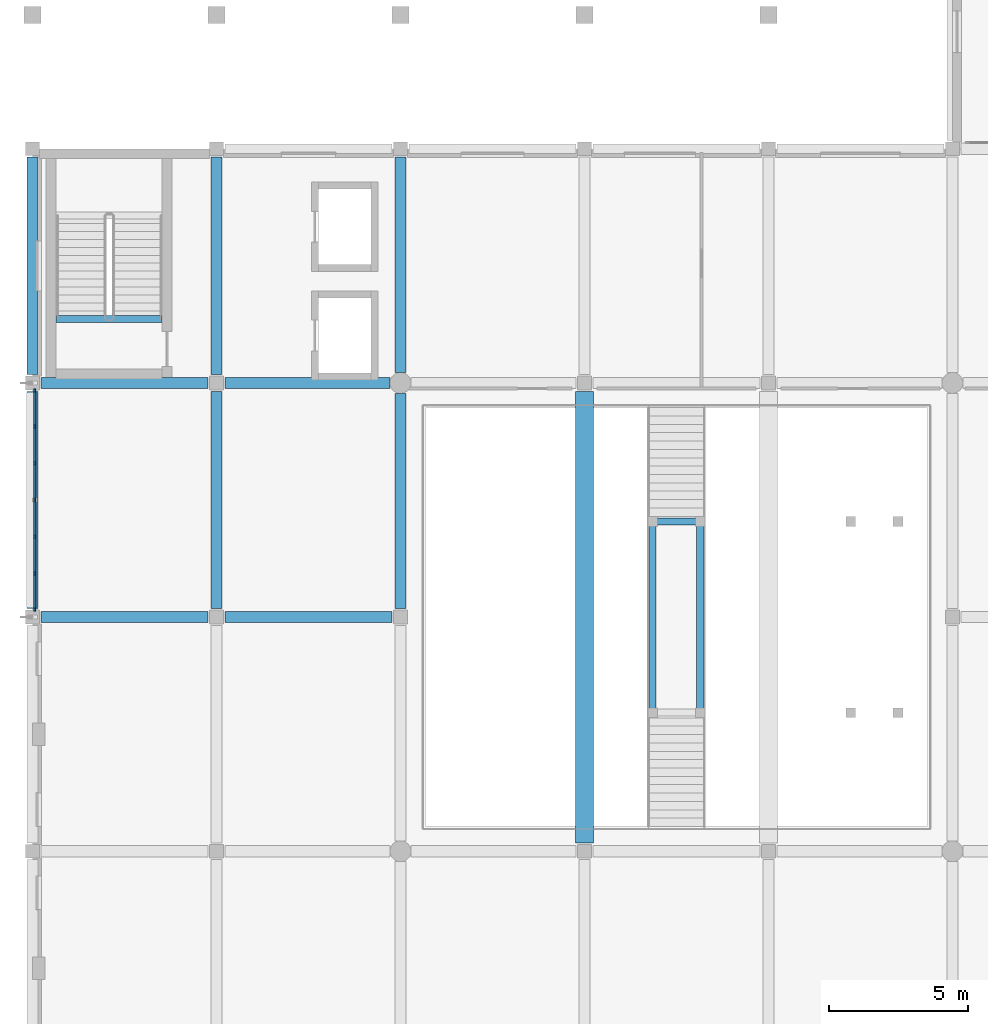
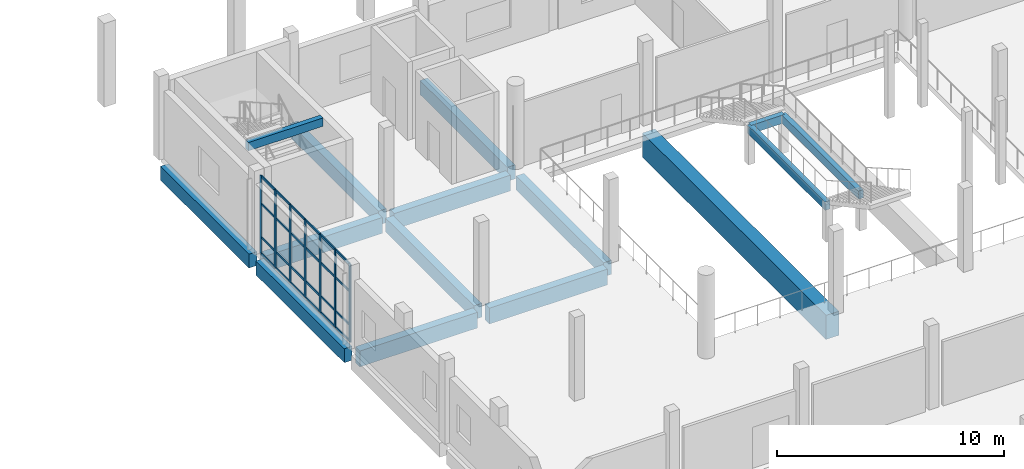
# One storey, part 5 of 83: 31 members, 15 beams, 1 element without a shape of its own.
"""IFC4 building model written with IfcOpenShell, lengths in metres."""

from ifc_helpers import new_model, si_unit, direction, frame, origin, origin_2d, place, context, subcontext, project, spatial, rectangle, extrude, material, material_profile, profile_set, type_object, element, aggregate, save


model = new_model("IFC4")

# Units and contexts
model_context = context("Model", 3, precision=1e-05, world=origin(), true_north=direction((0.0, 1.0)))
body_context = subcontext(model_context, "Body", "Model", "MODEL_VIEW")
ifc_project = project(units=[si_unit("LENGTHUNIT", "METRE"), si_unit("AREAUNIT", "SQUARE_METRE"), si_unit("VOLUMEUNIT", "CUBIC_METRE"), si_unit("PLANEANGLEUNIT", "RADIAN"), si_unit("MASSUNIT", "GRAM", prefix="KILO")], contexts=[model_context])

# Site, building, storey
site_placement = place(None, origin())
site = spatial("IfcSite", under=ifc_project, at=site_placement, CompositionType="ELEMENT")
building_placement = place(site_placement, origin())
building = spatial("IfcBuilding", under=site, at=building_placement, Name="Qaldarim Faculty of Natural and Applied Sciences", CompositionType="ELEMENT")
storey_placement = place(building_placement, frame((0.0, 0.0, 5.39990234375)))
storey = spatial("IfcBuildingStorey", under=building, at=storey_placement, Name="L01", CompositionType="ELEMENT", Elevation=5.39990234375)

# Beams
ifc_material_1 = material(Name="Concrete C50/60", Category="concrete")
ifc_material_profile_1 = material_profile(ifc_material_1, rectangle(XDim=0.39990234375, YDim=0.75, at=origin_2d()), Name="RC-B400x750")
ifc_profile_set_1 = profile_set([ifc_material_profile_1], Name="Concrete C50/60")
beam_type_1 = type_object("IfcBeamType", Name="LabGirder-RC400x750", PredefinedType="BEAM", material=ifc_profile_set_1)
for number, where, z_axis, x_axis, name in (
    (1, (0.0, 67.5, -0.6748046875), (0.0, 1.0, 0.0), (-1.0, 0.0, 0.0), "Beam RC-B400x750 L00 X01/Y09-Y10"),
    (2, (0.0, 75.89990234375, -0.6748046875), (0.0, 1.0, 0.0), (-1.0, 0.0, 0.0), "Beam RC-B400x750 L00 X01/Y10-Y11"),
    (3, (6.60009765625, 67.5, -0.6748046875), (0.0, 1.0, 0.0), (-1.0, 0.0, 0.0), "Beam RC-B400x750 L00 X02/Y09-Y10"),
    (4, (6.60009765625, 75.89990234375, -0.6748046875), (0.0, 1.0, 0.0), (-1.0, 0.0, 0.0), "Beam RC-B400x750 L00 X02/Y10-Y11"),
):
    element("IfcBeam", number, at=place(storey_placement, frame(where, z_axis=z_axis, x_axis=x_axis)), inside=storey, type_object=beam_type_1, Name=name, PredefinedType="BEAM", context=body_context, shape_type="SweptSolid", body=[
        extrude(rectangle(XDim=0.39990234375, YDim=0.75, at=origin_2d()), origin(), (0.0, 0.0, 1.0), 7.800048828125),
    ])
beam_1_placement = place(storey_placement, frame((13.199951171875, 67.5, -0.6748046875), z_axis=(0.0, 1.0, 0.0), x_axis=(-1.0, 0.0, 0.0)))
element("IfcBeam", 5, at=beam_1_placement, inside=storey, type_object=beam_type_1, Name="Beam RC-B400x750 L00 X03/Y09-Y10", PredefinedType="BEAM", context=body_context, shape_type="SweptSolid", body=[
    extrude(rectangle(XDim=0.39990234375, YDim=0.75, at=origin_2d()), origin(), (0.0, 0.0, 1.0), 7.72509765625),
])
beam_2_placement = place(storey_placement, frame((13.199951171875, 75.97509765625, -0.6748046875), z_axis=(0.0, 1.0, 0.0), x_axis=(-1.0, 0.0, 0.0)))
element("IfcBeam", 6, at=beam_2_placement, inside=storey, type_object=beam_type_1, Name="Beam RC-B400x750 L00 X03/Y10-Y11", PredefinedType="BEAM", context=body_context, shape_type="SweptSolid", body=[
    extrude(rectangle(XDim=0.39990234375, YDim=0.75, at=origin_2d()), origin(), (0.0, 0.0, 1.0), 7.724853515625),
])
ifc_material_2 = material(Name="Concrete C40/50", Category="concrete")
ifc_material_profile_2 = material_profile(ifc_material_2, rectangle(XDim=0.25, YDim=0.449951171875, at=origin_2d()), Name="RC-LN250x450")
ifc_profile_set_2 = profile_set([ifc_material_profile_2], Name="Concrete C40/50")
beam_type_2 = type_object("IfcBeamType", Name="LandingSupportBeam-RC250x450", PredefinedType="BEAM", material=ifc_profile_set_2)
beam_3_placement = place(storey_placement, frame((0.85009765625, 77.89990234375, 3.97509765625), z_axis=(1.0, 0.0, 0.0), x_axis=(0.0, 1.0, 0.0)))
element("IfcBeam", 7, at=beam_3_placement, inside=storey, type_object=beam_type_2, Name="Stair arrival support beam ST-D2 L01", PredefinedType="BEAM", context=body_context, shape_type="SweptSolid", body=[
    extrude(rectangle(XDim=0.25, YDim=0.449951171875, at=origin_2d()), origin(), (0.0, 0.0, 1.0), 3.7998046875),
])
beam_4_placement = place(storey_placement, frame((22.25, 70.6298828125, 1.815185546875), z_axis=(1.0, 0.0, 0.0), x_axis=(0.0, 1.0, 0.0)))
element("IfcBeam", 8, at=beam_4_placement, inside=storey, type_object=beam_type_2, Name="Open stair landing beam ST-AT1-L01 N", PredefinedType="BEAM", context=body_context, shape_type="SweptSolid", body=[
    extrude(rectangle(XDim=0.25, YDim=0.449951171875, at=origin_2d()), origin(), (0.0, 0.0, 1.0), 1.699951171875),
])
for number, where, z_axis, x_axis, name in (
    (9, (22.25, 63.77001953125, 1.815185546875), (0.0, 1.0, 0.0), (-1.0, 0.0, 0.0), "Open stair landing beam ST-AT1-L01 W"),
    (10, (23.949951171875, 63.77001953125, 1.815185546875), (0.0, 1.0, 0.0), (-1.0, 0.0, 0.0), "Open stair landing beam ST-AT1-L01 E"),
):
    element("IfcBeam", number, at=place(storey_placement, frame(where, z_axis=z_axis, x_axis=x_axis)), inside=storey, type_object=beam_type_2, Name=name, PredefinedType="BEAM", context=body_context, shape_type="SweptSolid", body=[
        extrude(rectangle(XDim=0.25, YDim=0.449951171875, at=origin_2d()), origin(), (0.0, 0.0, 1.0), 6.85986328125),
    ])

# Curtain wall, members
ifc_material_3 = material(Name="Anodised aluminium AW-6063", Category="aluminium")
curtain_wall_type = type_object("IfcCurtainWallType", Name="CurtainWallSystem-M1300", PredefinedType="USERDEFINED", material=ifc_material_3)
curtain_wall_placement = place(storey_placement, origin())
curtain_wall = element("IfcCurtainWall", 11, at=curtain_wall_placement, inside=storey, type_object=curtain_wall_type, Name="Curtain wall CW-L01-W-X01Y09", ObjectType="STICK CURTAIN WALL", PredefinedType="USERDEFINED")
ifc_material_profile_3 = material_profile(ifc_material_3, rectangle(XDim=0.06005859375, YDim=0.14990234375, at=origin_2d()), Name="ALU-M60x150")
ifc_profile_set_3 = profile_set([ifc_material_profile_3], Name="Anodised aluminium AW-6063")
member_type_1 = type_object("IfcMemberType", Name="Mullion-ALU60x150", PredefinedType="MULLION", material=ifc_profile_set_3)
member_1_placement = place(storey_placement, frame((0.080078125, 75.324951171875, 0.0), z_axis=(0.0, 0.0, 1.0), x_axis=(1.0, 0.0, 0.0)))
member_1 = element("IfcMember", 12, at=member_1_placement, type_object=member_type_1, Name="Mullion 1 of CW-L01-W-X01Y09", PredefinedType="MULLION", context=body_context, shape_type="SweptSolid", body=[
    extrude(rectangle(XDim=0.06005859375, YDim=0.14990234375, at=origin_2d()), origin(), (0.0, 0.0, 1.0), 4.2001953125),
])
member_2_placement = place(storey_placement, frame((0.080078125, 74.03662109375, 0.0), z_axis=(0.0, 0.0, 1.0), x_axis=(1.0, 0.0, 0.0)))
member_2 = element("IfcMember", 13, at=member_2_placement, type_object=member_type_1, Name="Mullion 2 of CW-L01-W-X01Y09", PredefinedType="MULLION", context=body_context, shape_type="SweptSolid", body=[
    extrude(rectangle(XDim=0.06005859375, YDim=0.14990234375, at=origin_2d()), origin(), (0.0, 0.0, 1.0), 4.2001953125),
])
member_3_placement = place(storey_placement, frame((0.080078125, 72.71826171875, 0.0), z_axis=(0.0, 0.0, 1.0), x_axis=(1.0, 0.0, 0.0)))
member_3 = element("IfcMember", 14, at=member_3_placement, type_object=member_type_1, Name="Mullion 3 of CW-L01-W-X01Y09", PredefinedType="MULLION", context=body_context, shape_type="SweptSolid", body=[
    extrude(rectangle(XDim=0.06005859375, YDim=0.14990234375, at=origin_2d()), origin(), (0.0, 0.0, 1.0), 4.2001953125),
])
member_4_placement = place(storey_placement, frame((0.080078125, 71.39990234375, 0.0), z_axis=(0.0, 0.0, 1.0), x_axis=(1.0, 0.0, 0.0)))
member_4 = element("IfcMember", 15, at=member_4_placement, type_object=member_type_1, Name="Mullion 4 of CW-L01-W-X01Y09", PredefinedType="MULLION", context=body_context, shape_type="SweptSolid", body=[
    extrude(rectangle(XDim=0.06005859375, YDim=0.14990234375, at=origin_2d()), origin(), (0.0, 0.0, 1.0), 4.2001953125),
])
member_5_placement = place(storey_placement, frame((0.080078125, 70.081787109375, 0.0), z_axis=(0.0, 0.0, 1.0), x_axis=(1.0, 0.0, 0.0)))
member_5 = element("IfcMember", 16, at=member_5_placement, type_object=member_type_1, Name="Mullion 5 of CW-L01-W-X01Y09", PredefinedType="MULLION", context=body_context, shape_type="SweptSolid", body=[
    extrude(rectangle(XDim=0.06005859375, YDim=0.14990234375, at=origin_2d()), origin(), (0.0, 0.0, 1.0), 4.2001953125),
])
member_6_placement = place(storey_placement, frame((0.080078125, 68.76318359375, 0.0), z_axis=(0.0, 0.0, 1.0), x_axis=(1.0, 0.0, 0.0)))
member_6 = element("IfcMember", 17, at=member_6_placement, type_object=member_type_1, Name="Mullion 6 of CW-L01-W-X01Y09", PredefinedType="MULLION", context=body_context, shape_type="SweptSolid", body=[
    extrude(rectangle(XDim=0.06005859375, YDim=0.14990234375, at=origin_2d()), origin(), (0.0, 0.0, 1.0), 4.2001953125),
])
member_7_placement = place(storey_placement, frame((0.080078125, 67.47509765625, 0.0), z_axis=(0.0, 0.0, 1.0), x_axis=(1.0, 0.0, 0.0)))
member_7 = element("IfcMember", 18, at=member_7_placement, type_object=member_type_1, Name="Mullion 7 of CW-L01-W-X01Y09", PredefinedType="MULLION", context=body_context, shape_type="SweptSolid", body=[
    extrude(rectangle(XDim=0.06005859375, YDim=0.14990234375, at=origin_2d()), origin(), (0.0, 0.0, 1.0), 4.2001953125),
])

# Beams
ifc_material_profile_4 = material_profile(ifc_material_1, rectangle(XDim=0.39990234375, YDim=0.85009765625, at=origin_2d()), Name="RC-B400x850")
ifc_profile_set_4 = profile_set([ifc_material_profile_4], Name="Concrete C50/60")
beam_type_3 = type_object("IfcBeamType", Name="PodiumGirder-RC400x850", PredefinedType="BEAM", material=ifc_profile_set_4)
for number, where, z_axis, x_axis, name in (
    (19, (0.300048828125, 67.199951171875, -0.724853515625), (1.0, 0.0, 0.0), (0.0, 1.0, 0.0), "Beam RC-B400x850 L00 X01-X02/Y09"),
    (20, (6.89990234375, 67.199951171875, -0.724853515625), (1.0, 0.0, 0.0), (0.0, 1.0, 0.0), "Beam RC-B400x850 L00 X02-X03/Y09"),
    (21, (0.300048828125, 75.60009765625, -0.724853515625), (1.0, 0.0, 0.0), (0.0, 1.0, 0.0), "Beam RC-B400x850 L00 X01-X02/Y10"),
):
    element("IfcBeam", number, at=place(storey_placement, frame(where, z_axis=z_axis, x_axis=x_axis)), inside=storey, type_object=beam_type_3, Name=name, PredefinedType="BEAM", context=body_context, shape_type="SweptSolid", body=[
        extrude(rectangle(XDim=0.39990234375, YDim=0.85009765625, at=origin_2d()), origin(), (0.0, 0.0, 1.0), 6.0),
    ])
beam_5_placement = place(storey_placement, frame((6.89990234375, 75.60009765625, -0.724853515625), z_axis=(1.0, 0.0, 0.0), x_axis=(0.0, 1.0, 0.0)))
element("IfcBeam", 22, at=beam_5_placement, inside=storey, type_object=beam_type_3, Name="Beam RC-B400x850 L00 X02-X03/Y10", PredefinedType="BEAM", context=body_context, shape_type="SweptSolid", body=[
    extrude(rectangle(XDim=0.39990234375, YDim=0.85009765625, at=origin_2d()), origin(), (0.0, 0.0, 1.0), 5.925048828125),
])
ifc_material_profile_5 = material_profile(ifc_material_1, rectangle(XDim=0.64990234375, YDim=1.300048828125, at=origin_2d()), Name="RC-TG650x1300")
ifc_profile_set_5 = profile_set([ifc_material_profile_5], Name="Concrete C50/60")
beam_type_4 = type_object("IfcBeamType", Name="TransferGirder-RC650x1300", PredefinedType="BEAM", material=ifc_profile_set_5)
beam_6_placement = place(storey_placement, frame((19.800048828125, 59.10009765625, -0.949951171875), z_axis=(0.0, 1.0, 0.0), x_axis=(-1.0, 0.0, 0.0)))
element("IfcBeam", 23, at=beam_6_placement, inside=storey, type_object=beam_type_4, Name="Long-span girder L00 X04 Y08-Y10", PredefinedType="BEAM", context=body_context, shape_type="SweptSolid", body=[
    extrude(rectangle(XDim=0.64990234375, YDim=1.300048828125, at=origin_2d()), origin(), (0.0, 0.0, 1.0), 16.199951171875),
])

# Member
ifc_material_profile_6 = material_profile(ifc_material_3, rectangle(XDim=0.06005859375, YDim=0.1201171875, at=origin_2d()), Name="ALU-T60x120")
ifc_profile_set_6 = profile_set([ifc_material_profile_6], Name="Anodised aluminium AW-6063")
member_type_2 = type_object("IfcMemberType", Name="Transom-ALU60x120", PredefinedType="USERDEFINED", material=ifc_profile_set_6)
member_8_placement = place(storey_placement, frame((0.080078125, 75.294921875, 0.030029296875), z_axis=(0.0, -1.0, 0.0), x_axis=(1.0, 0.0, 0.0)))
member_8 = element("IfcMember", 24, at=member_8_placement, type_object=member_type_2, Name="Transom 1-1 of CW-L01-W-X01Y09", ObjectType="TRANSOM", PredefinedType="USERDEFINED", context=body_context, shape_type="SweptSolid", body=[
    extrude(rectangle(XDim=0.06005859375, YDim=0.1201171875, at=origin_2d()), origin(), (0.0, 0.0, 1.0), 1.228271484375),
])

member_9_placement = place(storey_placement, frame((0.080078125, 75.294921875, 0.900146484375), z_axis=(0.0, -1.0, 0.0), x_axis=(1.0, 0.0, 0.0)))
member_9 = element("IfcMember", 25, at=member_9_placement, type_object=member_type_2, Name="Transom 1-2 of CW-L01-W-X01Y09", ObjectType="TRANSOM", PredefinedType="USERDEFINED", context=body_context, shape_type="SweptSolid", body=[
    extrude(rectangle(XDim=0.06005859375, YDim=0.1201171875, at=origin_2d()), origin(), (0.0, 0.0, 1.0), 1.228271484375),
])

member_10_placement = place(storey_placement, frame((0.080078125, 75.294921875, 2.7001953125), z_axis=(0.0, -1.0, 0.0), x_axis=(1.0, 0.0, 0.0)))
member_10 = element("IfcMember", 26, at=member_10_placement, type_object=member_type_2, Name="Transom 1-3 of CW-L01-W-X01Y09", ObjectType="TRANSOM", PredefinedType="USERDEFINED", context=body_context, shape_type="SweptSolid", body=[
    extrude(rectangle(XDim=0.06005859375, YDim=0.1201171875, at=origin_2d()), origin(), (0.0, 0.0, 1.0), 1.228271484375),
])

member_11_placement = place(storey_placement, frame((0.080078125, 75.294921875, 4.170166015625), z_axis=(0.0, -1.0, 0.0), x_axis=(1.0, 0.0, 0.0)))
member_11 = element("IfcMember", 27, at=member_11_placement, type_object=member_type_2, Name="Transom 1-4 of CW-L01-W-X01Y09", ObjectType="TRANSOM", PredefinedType="USERDEFINED", context=body_context, shape_type="SweptSolid", body=[
    extrude(rectangle(XDim=0.06005859375, YDim=0.1201171875, at=origin_2d()), origin(), (0.0, 0.0, 1.0), 1.228271484375),
])

member_12_placement = place(storey_placement, frame((0.080078125, 74.006591796875, 0.030029296875), z_axis=(0.0, -1.0, 0.0), x_axis=(1.0, 0.0, 0.0)))
member_12 = element("IfcMember", 28, at=member_12_placement, type_object=member_type_2, Name="Transom 2-1 of CW-L01-W-X01Y09", ObjectType="TRANSOM", PredefinedType="USERDEFINED", context=body_context, shape_type="SweptSolid", body=[
    extrude(rectangle(XDim=0.06005859375, YDim=0.1201171875, at=origin_2d()), origin(), (0.0, 0.0, 1.0), 1.25830078125),
])

member_13_placement = place(storey_placement, frame((0.080078125, 74.006591796875, 0.900146484375), z_axis=(0.0, -1.0, 0.0), x_axis=(1.0, 0.0, 0.0)))
member_13 = element("IfcMember", 29, at=member_13_placement, type_object=member_type_2, Name="Transom 2-2 of CW-L01-W-X01Y09", ObjectType="TRANSOM", PredefinedType="USERDEFINED", context=body_context, shape_type="SweptSolid", body=[
    extrude(rectangle(XDim=0.06005859375, YDim=0.1201171875, at=origin_2d()), origin(), (0.0, 0.0, 1.0), 1.25830078125),
])

member_14_placement = place(storey_placement, frame((0.080078125, 74.006591796875, 2.7001953125), z_axis=(0.0, -1.0, 0.0), x_axis=(1.0, 0.0, 0.0)))
member_14 = element("IfcMember", 30, at=member_14_placement, type_object=member_type_2, Name="Transom 2-3 of CW-L01-W-X01Y09", ObjectType="TRANSOM", PredefinedType="USERDEFINED", context=body_context, shape_type="SweptSolid", body=[
    extrude(rectangle(XDim=0.06005859375, YDim=0.1201171875, at=origin_2d()), origin(), (0.0, 0.0, 1.0), 1.25830078125),
])

member_15_placement = place(storey_placement, frame((0.080078125, 74.006591796875, 4.170166015625), z_axis=(0.0, -1.0, 0.0), x_axis=(1.0, 0.0, 0.0)))
member_15 = element("IfcMember", 31, at=member_15_placement, type_object=member_type_2, Name="Transom 2-4 of CW-L01-W-X01Y09", ObjectType="TRANSOM", PredefinedType="USERDEFINED", context=body_context, shape_type="SweptSolid", body=[
    extrude(rectangle(XDim=0.06005859375, YDim=0.1201171875, at=origin_2d()), origin(), (0.0, 0.0, 1.0), 1.25830078125),
])

member_16_placement = place(storey_placement, frame((0.080078125, 72.688232421875, 0.030029296875), z_axis=(0.0, -1.0, 0.0), x_axis=(1.0, 0.0, 0.0)))
member_16 = element("IfcMember", 32, at=member_16_placement, type_object=member_type_2, Name="Transom 3-1 of CW-L01-W-X01Y09", ObjectType="TRANSOM", PredefinedType="USERDEFINED", context=body_context, shape_type="SweptSolid", body=[
    extrude(rectangle(XDim=0.06005859375, YDim=0.1201171875, at=origin_2d()), origin(), (0.0, 0.0, 1.0), 1.25830078125),
])

member_17_placement = place(storey_placement, frame((0.080078125, 72.688232421875, 0.900146484375), z_axis=(0.0, -1.0, 0.0), x_axis=(1.0, 0.0, 0.0)))
member_17 = element("IfcMember", 33, at=member_17_placement, type_object=member_type_2, Name="Transom 3-2 of CW-L01-W-X01Y09", ObjectType="TRANSOM", PredefinedType="USERDEFINED", context=body_context, shape_type="SweptSolid", body=[
    extrude(rectangle(XDim=0.06005859375, YDim=0.1201171875, at=origin_2d()), origin(), (0.0, 0.0, 1.0), 1.25830078125),
])

member_18_placement = place(storey_placement, frame((0.080078125, 72.688232421875, 2.7001953125), z_axis=(0.0, -1.0, 0.0), x_axis=(1.0, 0.0, 0.0)))
member_18 = element("IfcMember", 34, at=member_18_placement, type_object=member_type_2, Name="Transom 3-3 of CW-L01-W-X01Y09", ObjectType="TRANSOM", PredefinedType="USERDEFINED", context=body_context, shape_type="SweptSolid", body=[
    extrude(rectangle(XDim=0.06005859375, YDim=0.1201171875, at=origin_2d()), origin(), (0.0, 0.0, 1.0), 1.25830078125),
])

member_19_placement = place(storey_placement, frame((0.080078125, 72.688232421875, 4.170166015625), z_axis=(0.0, -1.0, 0.0), x_axis=(1.0, 0.0, 0.0)))
member_19 = element("IfcMember", 35, at=member_19_placement, type_object=member_type_2, Name="Transom 3-4 of CW-L01-W-X01Y09", ObjectType="TRANSOM", PredefinedType="USERDEFINED", context=body_context, shape_type="SweptSolid", body=[
    extrude(rectangle(XDim=0.06005859375, YDim=0.1201171875, at=origin_2d()), origin(), (0.0, 0.0, 1.0), 1.25830078125),
])

member_20_placement = place(storey_placement, frame((0.080078125, 71.3701171875, 0.030029296875), z_axis=(0.0, -1.0, 0.0), x_axis=(1.0, 0.0, 0.0)))
member_20 = element("IfcMember", 36, at=member_20_placement, type_object=member_type_2, Name="Transom 4-1 of CW-L01-W-X01Y09", ObjectType="TRANSOM", PredefinedType="USERDEFINED", context=body_context, shape_type="SweptSolid", body=[
    extrude(rectangle(XDim=0.06005859375, YDim=0.1201171875, at=origin_2d()), origin(), (0.0, 0.0, 1.0), 1.25830078125),
])

member_21_placement = place(storey_placement, frame((0.080078125, 71.3701171875, 0.900146484375), z_axis=(0.0, -1.0, 0.0), x_axis=(1.0, 0.0, 0.0)))
member_21 = element("IfcMember", 37, at=member_21_placement, type_object=member_type_2, Name="Transom 4-2 of CW-L01-W-X01Y09", ObjectType="TRANSOM", PredefinedType="USERDEFINED", context=body_context, shape_type="SweptSolid", body=[
    extrude(rectangle(XDim=0.06005859375, YDim=0.1201171875, at=origin_2d()), origin(), (0.0, 0.0, 1.0), 1.25830078125),
])

member_22_placement = place(storey_placement, frame((0.080078125, 71.3701171875, 2.7001953125), z_axis=(0.0, -1.0, 0.0), x_axis=(1.0, 0.0, 0.0)))
member_22 = element("IfcMember", 38, at=member_22_placement, type_object=member_type_2, Name="Transom 4-3 of CW-L01-W-X01Y09", ObjectType="TRANSOM", PredefinedType="USERDEFINED", context=body_context, shape_type="SweptSolid", body=[
    extrude(rectangle(XDim=0.06005859375, YDim=0.1201171875, at=origin_2d()), origin(), (0.0, 0.0, 1.0), 1.25830078125),
])

member_23_placement = place(storey_placement, frame((0.080078125, 71.3701171875, 4.170166015625), z_axis=(0.0, -1.0, 0.0), x_axis=(1.0, 0.0, 0.0)))
member_23 = element("IfcMember", 39, at=member_23_placement, type_object=member_type_2, Name="Transom 4-4 of CW-L01-W-X01Y09", ObjectType="TRANSOM", PredefinedType="USERDEFINED", context=body_context, shape_type="SweptSolid", body=[
    extrude(rectangle(XDim=0.06005859375, YDim=0.1201171875, at=origin_2d()), origin(), (0.0, 0.0, 1.0), 1.25830078125),
])

member_24_placement = place(storey_placement, frame((0.080078125, 70.0517578125, 0.030029296875), z_axis=(0.0, -1.0, 0.0), x_axis=(1.0, 0.0, 0.0)))
member_24 = element("IfcMember", 40, at=member_24_placement, type_object=member_type_2, Name="Transom 5-1 of CW-L01-W-X01Y09", ObjectType="TRANSOM", PredefinedType="USERDEFINED", context=body_context, shape_type="SweptSolid", body=[
    extrude(rectangle(XDim=0.06005859375, YDim=0.1201171875, at=origin_2d()), origin(), (0.0, 0.0, 1.0), 1.258544921875),
])

member_25_placement = place(storey_placement, frame((0.080078125, 70.0517578125, 0.900146484375), z_axis=(0.0, -1.0, 0.0), x_axis=(1.0, 0.0, 0.0)))
member_25 = element("IfcMember", 41, at=member_25_placement, type_object=member_type_2, Name="Transom 5-2 of CW-L01-W-X01Y09", ObjectType="TRANSOM", PredefinedType="USERDEFINED", context=body_context, shape_type="SweptSolid", body=[
    extrude(rectangle(XDim=0.06005859375, YDim=0.1201171875, at=origin_2d()), origin(), (0.0, 0.0, 1.0), 1.258544921875),
])

member_26_placement = place(storey_placement, frame((0.080078125, 70.0517578125, 2.7001953125), z_axis=(0.0, -1.0, 0.0), x_axis=(1.0, 0.0, 0.0)))
member_26 = element("IfcMember", 42, at=member_26_placement, type_object=member_type_2, Name="Transom 5-3 of CW-L01-W-X01Y09", ObjectType="TRANSOM", PredefinedType="USERDEFINED", context=body_context, shape_type="SweptSolid", body=[
    extrude(rectangle(XDim=0.06005859375, YDim=0.1201171875, at=origin_2d()), origin(), (0.0, 0.0, 1.0), 1.258544921875),
])

member_27_placement = place(storey_placement, frame((0.080078125, 70.0517578125, 4.170166015625), z_axis=(0.0, -1.0, 0.0), x_axis=(1.0, 0.0, 0.0)))
member_27 = element("IfcMember", 43, at=member_27_placement, type_object=member_type_2, Name="Transom 5-4 of CW-L01-W-X01Y09", ObjectType="TRANSOM", PredefinedType="USERDEFINED", context=body_context, shape_type="SweptSolid", body=[
    extrude(rectangle(XDim=0.06005859375, YDim=0.1201171875, at=origin_2d()), origin(), (0.0, 0.0, 1.0), 1.258544921875),
])

member_28_placement = place(storey_placement, frame((0.080078125, 68.7333984375, 0.030029296875), z_axis=(0.0, -1.0, 0.0), x_axis=(1.0, 0.0, 0.0)))
member_28 = element("IfcMember", 44, at=member_28_placement, type_object=member_type_2, Name="Transom 6-1 of CW-L01-W-X01Y09", ObjectType="TRANSOM", PredefinedType="USERDEFINED", context=body_context, shape_type="SweptSolid", body=[
    extrude(rectangle(XDim=0.06005859375, YDim=0.1201171875, at=origin_2d()), origin(), (0.0, 0.0, 1.0), 1.228515625),
])

member_29_placement = place(storey_placement, frame((0.080078125, 68.7333984375, 0.900146484375), z_axis=(0.0, -1.0, 0.0), x_axis=(1.0, 0.0, 0.0)))
member_29 = element("IfcMember", 45, at=member_29_placement, type_object=member_type_2, Name="Transom 6-2 of CW-L01-W-X01Y09", ObjectType="TRANSOM", PredefinedType="USERDEFINED", context=body_context, shape_type="SweptSolid", body=[
    extrude(rectangle(XDim=0.06005859375, YDim=0.1201171875, at=origin_2d()), origin(), (0.0, 0.0, 1.0), 1.228515625),
])

member_30_placement = place(storey_placement, frame((0.080078125, 68.7333984375, 2.7001953125), z_axis=(0.0, -1.0, 0.0), x_axis=(1.0, 0.0, 0.0)))
member_30 = element("IfcMember", 46, at=member_30_placement, type_object=member_type_2, Name="Transom 6-3 of CW-L01-W-X01Y09", ObjectType="TRANSOM", PredefinedType="USERDEFINED", context=body_context, shape_type="SweptSolid", body=[
    extrude(rectangle(XDim=0.06005859375, YDim=0.1201171875, at=origin_2d()), origin(), (0.0, 0.0, 1.0), 1.228515625),
])

member_31_placement = place(storey_placement, frame((0.080078125, 68.7333984375, 4.170166015625), z_axis=(0.0, -1.0, 0.0), x_axis=(1.0, 0.0, 0.0)))
member_31 = element("IfcMember", 47, at=member_31_placement, type_object=member_type_2, Name="Transom 6-4 of CW-L01-W-X01Y09", ObjectType="TRANSOM", PredefinedType="USERDEFINED", context=body_context, shape_type="SweptSolid", body=[
    extrude(rectangle(XDim=0.06005859375, YDim=0.1201171875, at=origin_2d()), origin(), (0.0, 0.0, 1.0), 1.228515625),
])

aggregate(curtain_wall, [member_1, member_2, member_3, member_4, member_5, member_6, member_7, member_8, member_9, member_10, member_11, member_12, member_13, member_14, member_15, member_16, member_17, member_18, member_19, member_20, member_21, member_22, member_23, member_24, member_25, member_26, member_27, member_28, member_29, member_30, member_31])

save(model, "model.ifc")
